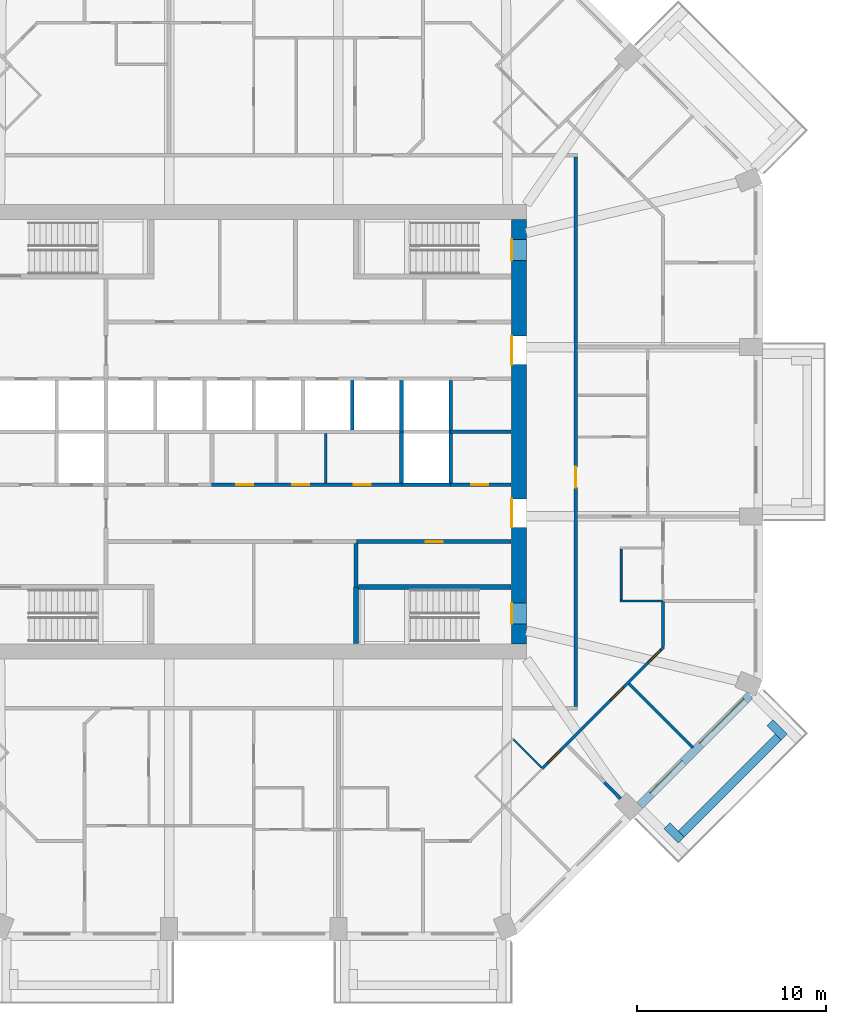
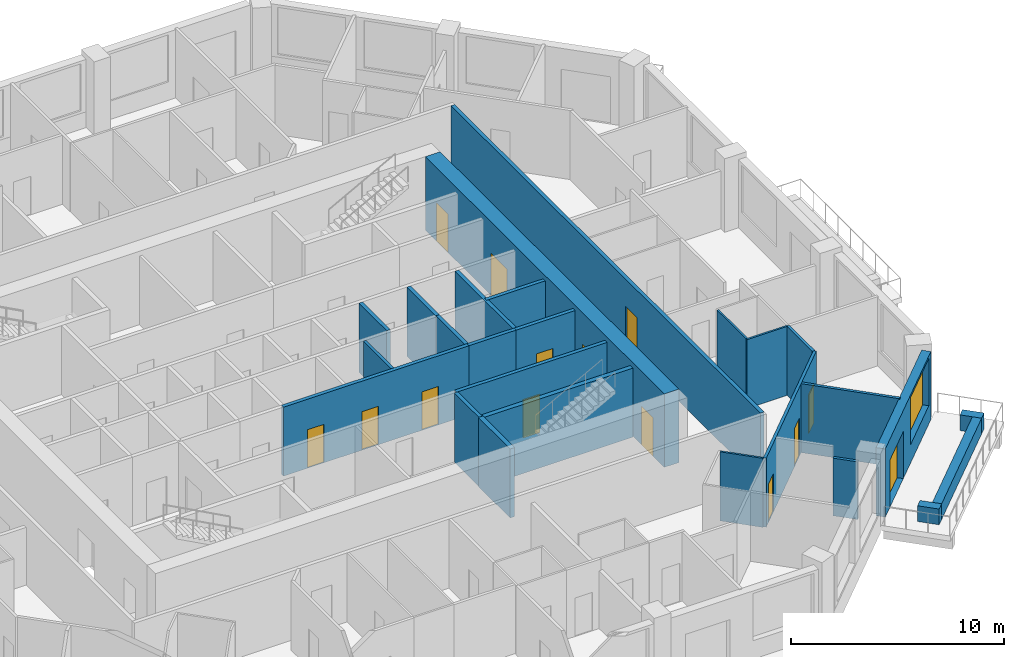
# One storey, part 6 of 13: 26 walls, 14 doors, 1 window, 15 openings.
"""IFC4 building model written with IfcOpenShell, lengths in metres."""

from ifc_helpers import new_model, si_unit, direction, frame, frame_2d, origin, place, context, subcontext, project, spatial, rectangle, extrude, material, layer, layer_set, type_object, element, fill, save


model = new_model("IFC4")

# Units and contexts
model_context = context("Model", 3, precision=1e-05, world=origin(), true_north=direction((0.0, 1.0)))
body_context = subcontext(model_context, "Body", "Model", "MODEL_VIEW")
ifc_project = project(units=[si_unit("LENGTHUNIT", "METRE"), si_unit("AREAUNIT", "SQUARE_METRE"), si_unit("VOLUMEUNIT", "CUBIC_METRE"), si_unit("PLANEANGLEUNIT", "RADIAN"), si_unit("MASSUNIT", "GRAM", prefix="KILO")], contexts=[model_context])

# Site, building, storey
site_placement = place(None, origin())
site = spatial("IfcSite", under=ifc_project, at=site_placement, CompositionType="ELEMENT")
building_placement = place(site_placement, origin())
building = spatial("IfcBuilding", under=site, at=building_placement, Name="Msitu Wima Residences", CompositionType="ELEMENT")
storey_placement = place(building_placement, frame((0.0, 0.0, 114.89990234375)))
storey = spatial("IfcBuildingStorey", under=building, at=storey_placement, Name="L26", CompositionType="ELEMENT", Elevation=114.89990234375)

# Walls
ifc_material_1 = material(Name="Facing brick")
ifc_layer_1 = layer(ifc_material_1, 0.06494140625, Name="Facing brick")
ifc_material_2 = material(Name="Concrete C40/50", Category="concrete")
ifc_layer_2 = layer(ifc_material_2, 0.156005859375, Name="Concrete C40/50")
ifc_material_3 = material(Name="Waterproofing membrane")
ifc_layer_3 = layer(ifc_material_3, 0.00390625, Name="Waterproofing membrane")
ifc_material_4 = material(Name="Planting soil and planting")
ifc_layer_4 = layer(ifc_material_4, 0.22509765625, Name="Planting soil and planting")
ifc_layer_set_1 = layer_set([ifc_layer_1, ifc_layer_2, ifc_layer_3, ifc_layer_4], Name="Concrete C40/50")
wall_type_1 = type_object("IfcWallType", Name="Balcony planter PLANTER PL450", PredefinedType="USERDEFINED", material=ifc_layer_set_1)
wall_1_placement = place(storey_placement, frame((22.572265625, -21.228759765625, 0.0), z_axis=(0.0, 0.0, 1.0), x_axis=(0.707106781187, 0.707106781187, 0.0)))
element("IfcWall", 1, at=wall_1_placement, inside=storey, type_object=wall_type_1, Name="Balcony planter SE1 L26", ObjectType="PLANTER", PredefinedType="USERDEFINED", context=body_context, shape_type="SweptSolid", body=[
    extrude(rectangle(XDim=7.23828125, YDim=0.449951171875, at=frame_2d((3.619140625, 0.0))), origin(), (0.0, 0.0, 1.0), 0.900146484375),
])
for number, where, z_axis, x_axis, name in (
    (2, (21.829833984375, -20.804443359375, 0.0), (0.0, 0.0, 1.0), (0.707106781187, -0.707106781187, 0.0), "Balcony planter SE1 L26"),
    (3, (27.26611328125, -15.3681640625, 0.0), (0.0, 0.0, 1.0), (0.707223014731, -0.706990528533, 0.0), "Balcony planter SE1 L26"),
):
    element("IfcWall", number, at=place(storey_placement, frame(where, z_axis=z_axis, x_axis=x_axis)), inside=storey, type_object=wall_type_1, Name=name, ObjectType="PLANTER", PredefinedType="USERDEFINED", context=body_context, shape_type="SweptSolid", body=[
        extrude(rectangle(XDim=1.050048828125, YDim=0.449951171875, at=frame_2d((0.52490234375, 0.0))), origin(), (0.0, 0.0, 1.0), 0.900146484375),
    ])

# Wall, openings, door, window
ifc_material_5 = material(Name="Brick (red buff mix)", Category="masonry")
ifc_layer_5 = layer(ifc_material_5, 0.449951171875)
ifc_layer_set_2 = layer_set([ifc_layer_5], Name="Brick (red buff mix)")
wall_type_2 = type_object("IfcWallType", Name="Brick infill wall BW450", PredefinedType="SOLIDWALL", material=ifc_layer_set_2)
wall_2_placement = place(storey_placement, frame((20.380126953125, -19.743896484375, 0.0), z_axis=(0.0, 0.0, 1.0), x_axis=(0.707106781187, 0.707106781187, 0.0)))
wall_2 = element("IfcWall", 4, at=wall_2_placement, inside=storey, type_object=wall_type_2, Name="Brick infill wall L26 SE1", PredefinedType="SOLIDWALL", context=body_context, shape_type="SweptSolid", body=[
    extrude(rectangle(XDim=8.251220703125, YDim=0.449951171875, at=frame_2d((4.12548828125, 0.0))), origin(), (0.0, 0.0, 1.0), 3.900146484375),
])
opening_1_placement = place(wall_2_placement, frame((0.86279296875, 0.0, 0.0)))
opening_1 = element("IfcOpeningElement", 5, at=opening_1_placement, cuts=wall_2, Name="Opening D25-26.008", PredefinedType="OPENING", context=body_context, shape_type="SweptSolid", body=[
    extrude(rectangle(XDim=2.39990234375, YDim=2.699951171875, at=frame_2d((1.199951171875, 1.35009765625))), frame((0.0, 0.23486328125, 0.0), z_axis=(0.0, -1.0, 0.0), x_axis=(1.0, 0.0, 0.0)), (0.0, 0.0, 1.0), 0.469970703125),
])
opening_2_placement = place(wall_2_placement, frame((4.57568359375, 0.0, 1.050048828125)))
opening_2 = element("IfcOpeningElement", 6, at=opening_2_placement, cuts=wall_2, Name="Opening W25-26.022", PredefinedType="OPENING", context=body_context, shape_type="SweptSolid", body=[
    extrude(rectangle(XDim=3.300048828125, YDim=2.699951171875, at=frame_2d((1.64990234375, 1.35009765625))), frame((0.0, 0.23486328125, 0.0), z_axis=(0.0, -1.0, 0.0), x_axis=(1.0, 0.0, 0.0)), (0.0, 0.0, 1.0), 0.469970703125),
])
ifc_material_6 = material(Name="Anodised aluminium, bronze finish, clear low-emissivity double glazing", Category="aluminium")
door_type_1 = type_object("IfcDoorType", Name="Balcony door D2400x2700", OperationType="SLIDING_TO_LEFT", PredefinedType="DOOR", material=ifc_material_6)
door_1_placement = place(opening_1_placement, origin())
door_1 = element("IfcDoor", 7, at=door_1_placement, inside=storey, type_object=door_type_1, Name="Balcony door L26 SE1", OperationType="SINGLE_SWING_LEFT", OverallHeight=2.699951171875, OverallWidth=2.39990234375, PredefinedType="DOOR", context=body_context, shape_type="SweptSolid", body=[
    extrude(rectangle(XDim=2.39990234375, YDim=2.699951171875, at=frame_2d((1.199951171875, 1.35009765625))), frame((0.0, 0.1298828125, 0.0), z_axis=(0.0, -1.0, 0.0), x_axis=(1.0, 0.0, 0.0)), (0.0, 0.0, 1.0), 0.050048828125),
])
fill(opening_1, door_1)
window_type = type_object("IfcWindowType", Name="Window W3300x2700", PartitioningType="DOUBLE_PANEL_VERTICAL", PredefinedType="WINDOW", material=ifc_material_6)
window_placement = place(opening_2_placement, origin())
window = element("IfcWindow", 8, at=window_placement, inside=storey, type_object=window_type, Name="Window L26 SE1.2", OverallHeight=2.699951171875, OverallWidth=3.300048828125, PartitioningType="SINGLE_PANEL", PredefinedType="WINDOW", context=body_context, shape_type="SweptSolid", body=[
    extrude(rectangle(XDim=3.300048828125, YDim=2.699951171875, at=frame_2d((1.64990234375, 1.35009765625))), frame((0.0, 0.135009765625, 0.0), z_axis=(0.0, -1.0, 0.0), x_axis=(1.0, 0.0, 0.0)), (0.0, 0.0, 1.0), 0.06005859375),
])
fill(opening_2, window)

# Wall, openings, doors
ifc_material_7 = material(Name="Concrete C70/85", Category="concrete")
ifc_layer_6 = layer(ifc_material_7, 0.800048828125)
ifc_layer_set_3 = layer_set([ifc_layer_6], Name="Concrete C70/85")
wall_type_3 = type_object("IfcWallType", Name="Core wall CW800 C70/85", PredefinedType="SHEAR", material=ifc_layer_set_3)
wall_3_placement = place(storey_placement, frame((14.0, -11.199951171875, 0.0), z_axis=(0.0, 0.0, 1.0), x_axis=(0.0, 1.0, 0.0)))
wall_3 = element("IfcWall", 9, at=wall_3_placement, inside=storey, type_object=wall_type_3, Name="Core wall", PredefinedType="SHEAR", context=body_context, shape_type="SweptSolid", body=[
    extrude(rectangle(XDim=22.39990234375, YDim=0.800048828125, at=frame_2d((11.199951171875, 0.0))), origin(), (0.0, 0.0, 1.0), 4.2001953125),
])
opening_3_placement = place(wall_3_placement, frame((20.25, 0.0, 0.0)))
opening_3 = element("IfcOpeningElement", 10, at=opening_3_placement, cuts=wall_3, Name="Opening D25-26.040", PredefinedType="OPENING", context=body_context, shape_type="SweptSolid", body=[
    extrude(rectangle(XDim=1.10009765625, YDim=2.199951171875, at=frame_2d((0.550048828125, 1.10009765625))), frame((0.0, 0.409912109375, 0.0), z_axis=(0.0, -1.0, 0.0), x_axis=(1.0, 0.0, 0.0)), (0.0, 0.0, 1.0), 0.820068359375),
])
opening_4_placement = place(wall_3_placement, frame((1.050048828125, 0.0, 0.0)))
opening_4 = element("IfcOpeningElement", 11, at=opening_4_placement, cuts=wall_3, Name="Opening D25-26.041", PredefinedType="OPENING", context=body_context, shape_type="SweptSolid", body=[
    extrude(rectangle(XDim=1.10009765625, YDim=2.199951171875, at=frame_2d((0.550048828125, 1.10009765625))), frame((0.0, 0.409912109375, 0.0), z_axis=(0.0, -1.0, 0.0), x_axis=(1.0, 0.0, 0.0)), (0.0, 0.0, 1.0), 0.820068359375),
])
opening_5_placement = place(wall_3_placement, frame((14.75, 0.0, 0.0)))
opening_5 = element("IfcOpeningElement", 12, at=opening_5_placement, cuts=wall_3, Name="Opening D25-26.027", PredefinedType="OPENING", context=body_context, shape_type="SweptSolid", body=[
    extrude(rectangle(XDim=1.5, YDim=2.39990234375, at=frame_2d((0.75, 1.199951171875))), frame((0.0, 0.409912109375, 0.0), z_axis=(0.0, -1.0, 0.0), x_axis=(1.0, 0.0, 0.0)), (0.0, 0.0, 1.0), 0.820068359375),
])
opening_6_placement = place(wall_3_placement, frame((6.14990234375, 0.0, 0.0)))
opening_6 = element("IfcOpeningElement", 13, at=opening_6_placement, cuts=wall_3, Name="Opening D25-26.028", PredefinedType="OPENING", context=body_context, shape_type="SweptSolid", body=[
    extrude(rectangle(XDim=1.5, YDim=2.39990234375, at=frame_2d((0.75, 1.199951171875))), frame((0.0, 0.409912109375, 0.0), z_axis=(0.0, -1.0, 0.0), x_axis=(1.0, 0.0, 0.0)), (0.0, 0.0, 1.0), 0.820068359375),
])
ifc_material_8 = material(Name="Steel framed glazed door, fire resisting", Category="steel")
door_type_2 = type_object("IfcDoorType", Name="Lobby door D07 1500x2400", OperationType="DOUBLE_DOOR_SINGLE_SWING", PredefinedType="DOOR", material=ifc_material_8)
door_2_placement = place(opening_5_placement, origin())
door_2 = element("IfcDoor", 14, at=door_2_placement, inside=storey, type_object=door_type_2, Name="Lobby door", OperationType="DOUBLE_DOOR_SINGLE_SWING", OverallHeight=2.39990234375, OverallWidth=1.5, PredefinedType="DOOR", context=body_context, shape_type="SweptSolid", body=[
    extrude(rectangle(XDim=1.5, YDim=2.39990234375, at=frame_2d((0.75, 1.199951171875))), frame((0.0, 0.39501953125, 0.0), z_axis=(0.0, -1.0, 0.0), x_axis=(1.0, 0.0, 0.0)), (0.0, 0.0, 1.0), 0.050048828125),
])
fill(opening_5, door_2)
door_3_placement = place(opening_6_placement, origin())
door_3 = element("IfcDoor", 15, at=door_3_placement, inside=storey, type_object=door_type_2, Name="Lobby door", OperationType="DOUBLE_DOOR_SINGLE_SWING", OverallHeight=2.39990234375, OverallWidth=1.5, PredefinedType="DOOR", context=body_context, shape_type="SweptSolid", body=[
    extrude(rectangle(XDim=1.5, YDim=2.39990234375, at=frame_2d((0.75, 1.199951171875))), frame((0.0, 0.39501953125, 0.0), z_axis=(0.0, -1.0, 0.0), x_axis=(1.0, 0.0, 0.0)), (0.0, 0.0, 1.0), 0.050048828125),
])
fill(opening_6, door_3)
ifc_material_9 = material(Name="Steel door, fire resisting, panic bar", Category="steel")
door_type_3 = type_object("IfcDoorType", Name="Stair door D06 1100x2200", OperationType="SINGLE_SWING_LEFT", PredefinedType="DOOR", material=ifc_material_9)
door_4_placement = place(opening_3_placement, origin())
door_4 = element("IfcDoor", 16, at=door_4_placement, inside=storey, type_object=door_type_3, Name="Stair door", OperationType="SINGLE_SWING_LEFT", OverallHeight=2.199951171875, OverallWidth=1.10009765625, PredefinedType="DOOR", context=body_context, shape_type="SweptSolid", body=[
    extrude(rectangle(XDim=1.10009765625, YDim=2.199951171875, at=frame_2d((0.550048828125, 1.10009765625))), frame((0.0, 0.39501953125, 0.0), z_axis=(0.0, -1.0, 0.0), x_axis=(1.0, 0.0, 0.0)), (0.0, 0.0, 1.0), 0.050048828125),
])
fill(opening_3, door_4)
door_5_placement = place(opening_4_placement, origin())
door_5 = element("IfcDoor", 17, at=door_5_placement, inside=storey, type_object=door_type_3, Name="Stair door", OperationType="SINGLE_SWING_RIGHT", OverallHeight=2.199951171875, OverallWidth=1.10009765625, PredefinedType="DOOR", context=body_context, shape_type="SweptSolid", body=[
    extrude(rectangle(XDim=1.10009765625, YDim=2.199951171875, at=frame_2d((0.550048828125, 1.10009765625))), frame((0.0, 0.39501953125, 0.0), z_axis=(0.0, -1.0, 0.0), x_axis=(1.0, 0.0, 0.0)), (0.0, 0.0, 1.0), 0.050048828125),
])
fill(opening_4, door_5)

ifc_material_10 = material(Name="Plaster")
ifc_layer_7 = layer(ifc_material_10, 0.011962890625, Name="Plaster")
ifc_material_11 = material(Name="Concrete blockwork", Category="masonry")
ifc_layer_8 = layer(ifc_material_11, 0.176025390625, Name="Concrete blockwork")
ifc_layer_9 = layer(ifc_material_10, 0.011962890625, Name="Plaster")
ifc_layer_set_4 = layer_set([ifc_layer_7, ifc_layer_8, ifc_layer_9], Name="Concrete blockwork")
wall_type_4 = type_object("IfcWallType", Name="Corridor wall FW200", PredefinedType="PARTITIONING", material=ifc_layer_set_4)
wall_4_placement = place(storey_placement, frame((-2.219970703125, -2.800048828125, 0.0), z_axis=(0.0, 0.0, 1.0), x_axis=(1.0, 0.0, 0.0)))
wall_4 = element("IfcWall", 18, at=wall_4_placement, inside=storey, type_object=wall_type_4, Name="Corridor wall", PredefinedType="PARTITIONING", context=body_context, shape_type="SweptSolid", body=[
    extrude(rectangle(XDim=10.0400390625, YDim=0.199951171875, at=frame_2d((5.02001953125, 0.0))), origin(), (0.0, 0.0, 1.0), 3.9501953125),
])
opening_7_placement = place(wall_4_placement, frame((1.300048828125, 0.0, 0.0)))
opening_7 = element("IfcOpeningElement", 19, at=opening_7_placement, cuts=wall_4, Name="Opening D25-26.033", PredefinedType="OPENING", context=body_context, shape_type="SweptSolid", body=[
    extrude(rectangle(XDim=0.89990234375, YDim=2.199951171875, at=frame_2d((0.449951171875, 1.10009765625))), frame((0.0, 0.10986328125, 0.0), z_axis=(0.0, -1.0, 0.0), x_axis=(1.0, 0.0, 0.0)), (0.0, 0.0, 1.0), 0.219970703125),
])
opening_8_placement = place(wall_4_placement, frame((4.25, 0.0, 0.0)))
opening_8 = element("IfcOpeningElement", 20, at=opening_8_placement, cuts=wall_4, Name="Opening D25-26.034", PredefinedType="OPENING", context=body_context, shape_type="SweptSolid", body=[
    extrude(rectangle(XDim=0.89990234375, YDim=2.199951171875, at=frame_2d((0.449951171875, 1.10009765625))), frame((0.0, 0.10986328125, 0.0), z_axis=(0.0, -1.0, 0.0), x_axis=(1.0, 0.0, 0.0)), (0.0, 0.0, 1.0), 0.219970703125),
])
opening_9_placement = place(wall_4_placement, frame((7.5, 0.0, 0.0)))
opening_9 = element("IfcOpeningElement", 21, at=opening_9_placement, cuts=wall_4, Name="Opening D25-26.035", PredefinedType="OPENING", context=body_context, shape_type="SweptSolid", body=[
    extrude(rectangle(XDim=0.89990234375, YDim=2.199951171875, at=frame_2d((0.449951171875, 1.10009765625))), frame((0.0, 0.10986328125, 0.0), z_axis=(0.0, -1.0, 0.0), x_axis=(1.0, 0.0, 0.0)), (0.0, 0.0, 1.0), 0.219970703125),
])
ifc_material_12 = material(Name="Timber flush door", Category="wood")
door_type_4 = type_object("IfcDoorType", Name="Service door D05 900x2200", OperationType="SINGLE_SWING_LEFT", PredefinedType="DOOR", material=ifc_material_12)
door_6_placement = place(opening_7_placement, origin())
door_6 = element("IfcDoor", 22, at=door_6_placement, inside=storey, type_object=door_type_4, Name="Service door", OperationType="SINGLE_SWING_RIGHT", OverallHeight=2.199951171875, OverallWidth=0.89990234375, PredefinedType="DOOR", context=body_context, shape_type="SweptSolid", body=[
    extrude(rectangle(XDim=0.89990234375, YDim=2.199951171875, at=frame_2d((0.449951171875, 1.10009765625))), frame((0.0, 0.02490234375, 0.0), z_axis=(0.0, -1.0, 0.0), x_axis=(1.0, 0.0, 0.0)), (0.0, 0.0, 1.0), 0.050048828125),
])
fill(opening_7, door_6)
door_7_placement = place(opening_8_placement, origin())
door_7 = element("IfcDoor", 23, at=door_7_placement, inside=storey, type_object=door_type_4, Name="Service door", OperationType="SINGLE_SWING_LEFT", OverallHeight=2.199951171875, OverallWidth=0.89990234375, PredefinedType="DOOR", context=body_context, shape_type="SweptSolid", body=[
    extrude(rectangle(XDim=0.89990234375, YDim=2.199951171875, at=frame_2d((0.449951171875, 1.10009765625))), frame((0.0, 0.02490234375, 0.0), z_axis=(0.0, -1.0, 0.0), x_axis=(1.0, 0.0, 0.0)), (0.0, 0.0, 1.0), 0.050048828125),
])
fill(opening_8, door_7)
door_8_placement = place(opening_9_placement, origin())
door_8 = element("IfcDoor", 24, at=door_8_placement, inside=storey, type_object=door_type_4, Name="Service door", OperationType="SINGLE_SWING_LEFT", OverallHeight=2.199951171875, OverallWidth=0.89990234375, PredefinedType="DOOR", context=body_context, shape_type="SweptSolid", body=[
    extrude(rectangle(XDim=0.89990234375, YDim=2.199951171875, at=frame_2d((0.449951171875, 1.10009765625))), frame((0.0, 0.02490234375, 0.0), z_axis=(0.0, -1.0, 0.0), x_axis=(1.0, 0.0, 0.0)), (0.0, 0.0, 1.0), 0.050048828125),
])
fill(opening_9, door_8)

# Wall, opening, door
wall_5_placement = place(storey_placement, frame((17.0, -14.5, 0.0), z_axis=(0.0, 0.0, 1.0), x_axis=(0.0, 1.0, 0.0)))
wall_5 = element("IfcWall", 25, at=wall_5_placement, inside=storey, type_object=wall_type_4, Name="Corridor wall", PredefinedType="PARTITIONING", context=body_context, shape_type="SweptSolid", body=[
    extrude(rectangle(XDim=29.0, YDim=0.199951171875, at=frame_2d((14.5, 0.0))), origin(), (0.0, 0.0, 1.0), 3.9501953125),
])
opening_10_placement = place(wall_5_placement, frame((11.550048828125, 0.0, 0.0)))
opening_10 = element("IfcOpeningElement", 26, at=opening_10_placement, cuts=wall_5, Name="Opening D25-26.014", PredefinedType="OPENING", context=body_context, shape_type="SweptSolid", body=[
    extrude(rectangle(XDim=1.10009765625, YDim=2.39990234375, at=frame_2d((0.550048828125, 1.199951171875))), frame((0.0, 0.10986328125, 0.0), z_axis=(0.0, -1.0, 0.0), x_axis=(1.0, 0.0, 0.0)), (0.0, 0.0, 1.0), 0.219970703125),
])
ifc_material_13 = material(Name="Timber flush door, fire resisting, self-closing", Category="wood")
door_type_5 = type_object("IfcDoorType", Name="Flat entrance door D01 1100x2400", OperationType="SINGLE_SWING_LEFT", PredefinedType="DOOR", material=ifc_material_13)
door_9_placement = place(opening_10_placement, origin())
door_9 = element("IfcDoor", 27, at=door_9_placement, inside=storey, type_object=door_type_5, Name="Flat entrance door", OperationType="SINGLE_SWING_RIGHT", OverallHeight=2.39990234375, OverallWidth=1.10009765625, PredefinedType="DOOR", context=body_context, shape_type="SweptSolid", body=[
    extrude(rectangle(XDim=1.10009765625, YDim=2.39990234375, at=frame_2d((0.550048828125, 1.199951171875))), frame((0.0, 0.02490234375, 0.0), z_axis=(0.0, -1.0, 0.0), x_axis=(1.0, 0.0, 0.0)), (0.0, 0.0, 1.0), 0.050048828125),
])
fill(opening_10, door_9)

# Wall
ifc_layer_10 = layer(ifc_material_10, 0.011962890625, Name="Plaster")
ifc_layer_11 = layer(ifc_material_11, 0.1259765625, Name="Concrete blockwork")
ifc_layer_12 = layer(ifc_material_10, 0.011962890625, Name="Plaster")
ifc_layer_set_5 = layer_set([ifc_layer_10, ifc_layer_11, ifc_layer_12], Name="Concrete blockwork")
wall_type_5 = type_object("IfcWallType", Name="Partition PW150", PredefinedType="PARTITIONING", material=ifc_layer_set_5)
wall_6_placement = place(storey_placement, frame((3.800048828125, -2.699951171875, 0.0), z_axis=(0.0, 0.0, 1.0), x_axis=(0.0, 1.0, 0.0)))
element("IfcWall", 28, at=wall_6_placement, inside=storey, type_object=wall_type_5, Name="Partition", PredefinedType="PARTITIONING", context=body_context, shape_type="SweptSolid", body=[
    extrude(rectangle(XDim=2.599853515625, YDim=0.14990234375, at=frame_2d((1.2998046875, 0.0))), origin(), (0.0, 0.0, 1.0), 3.9501953125),
])

# Wall, openings, doors
wall_7_placement = place(storey_placement, frame((15.240234375, -17.77734375, 0.0), z_axis=(0.0, 0.0, 1.0), x_axis=(0.707120241298, 0.707093320819, 0.0)))
wall_7 = element("IfcWall", 29, at=wall_7_placement, inside=storey, type_object=wall_type_5, Name="Partition", PredefinedType="PARTITIONING", context=body_context, shape_type="SweptSolid", body=[
    extrude(rectangle(XDim=9.06884765625, YDim=0.14990234375, at=frame_2d((4.534423828125, 0.0))), origin(), (0.0, 0.0, 1.0), 3.9501953125),
])
opening_11_placement = place(wall_7_placement, frame((5.10009765625, 0.0, 0.0)))
opening_11 = element("IfcOpeningElement", 30, at=opening_11_placement, cuts=wall_7, Name="Opening D25-26.079", PredefinedType="OPENING", context=body_context, shape_type="SweptSolid", body=[
    extrude(rectangle(XDim=0.949951171875, YDim=2.199951171875, at=frame_2d((0.47509765625, 1.10009765625))), frame((0.0, 0.0849609375, 0.0), z_axis=(0.0, -1.0, 0.0), x_axis=(1.0, 0.0, 0.0)), (0.0, 0.0, 1.0), 0.169921875),
])
opening_12_placement = place(wall_7_placement, frame((0.39990234375, 0.0, 0.0)))
opening_12 = element("IfcOpeningElement", 31, at=opening_12_placement, cuts=wall_7, Name="Opening D25-26.081", PredefinedType="OPENING", context=body_context, shape_type="SweptSolid", body=[
    extrude(rectangle(XDim=0.949951171875, YDim=2.199951171875, at=frame_2d((0.47509765625, 1.10009765625))), frame((0.0, 0.0849609375, 0.0), z_axis=(0.0, -1.0, 0.0), x_axis=(1.0, 0.0, 0.0)), (0.0, 0.0, 1.0), 0.169921875),
])
opening_13_placement = place(wall_7_placement, frame((7.89990234375, 0.0, 0.0)))
opening_13 = element("IfcOpeningElement", 32, at=opening_13_placement, cuts=wall_7, Name="Opening D25-26.088", PredefinedType="OPENING", context=body_context, shape_type="SweptSolid", body=[
    extrude(rectangle(XDim=0.949951171875, YDim=2.199951171875, at=frame_2d((0.47509765625, 1.10009765625))), frame((0.0, 0.0849609375, 0.0), z_axis=(0.0, -1.0, 0.0), x_axis=(1.0, 0.0, 0.0)), (0.0, 0.0, 1.0), 0.169921875),
])
door_type_6 = type_object("IfcDoorType", Name="Room door D12 950x2200", OperationType="SINGLE_SWING_LEFT", PredefinedType="DOOR", material=ifc_material_12)
door_10_placement = place(opening_11_placement, origin())
door_10 = element("IfcDoor", 33, at=door_10_placement, inside=storey, type_object=door_type_6, Name="Room door", OperationType="SINGLE_SWING_LEFT", OverallHeight=2.199951171875, OverallWidth=0.949951171875, PredefinedType="DOOR", context=body_context, shape_type="SweptSolid", body=[
    extrude(rectangle(XDim=0.949951171875, YDim=2.199951171875, at=frame_2d((0.47509765625, 1.10009765625))), frame((0.0, 0.02490234375, 0.0), z_axis=(0.0, -1.0, 0.0), x_axis=(1.0, 0.0, 0.0)), (0.0, 0.0, 1.0), 0.050048828125),
])
fill(opening_11, door_10)
door_11_placement = place(opening_12_placement, origin())
door_11 = element("IfcDoor", 34, at=door_11_placement, inside=storey, type_object=door_type_6, Name="Room door", OperationType="SINGLE_SWING_LEFT", OverallHeight=2.199951171875, OverallWidth=0.949951171875, PredefinedType="DOOR", context=body_context, shape_type="SweptSolid", body=[
    extrude(rectangle(XDim=0.949951171875, YDim=2.199951171875, at=frame_2d((0.47509765625, 1.10009765625))), frame((0.0, 0.02490234375, 0.0), z_axis=(0.0, -1.0, 0.0), x_axis=(1.0, 0.0, 0.0)), (0.0, 0.0, 1.0), 0.050048828125),
])
fill(opening_12, door_11)
door_12_placement = place(opening_13_placement, origin())
door_12 = element("IfcDoor", 35, at=door_12_placement, inside=storey, type_object=door_type_6, Name="Room door", OperationType="SINGLE_SWING_RIGHT", OverallHeight=2.199951171875, OverallWidth=0.949951171875, PredefinedType="DOOR", context=body_context, shape_type="SweptSolid", body=[
    extrude(rectangle(XDim=0.949951171875, YDim=2.199951171875, at=frame_2d((0.47509765625, 1.10009765625))), frame((0.0, 0.02490234375, 0.0), z_axis=(0.0, -1.0, 0.0), x_axis=(1.0, 0.0, 0.0)), (0.0, 0.0, 1.0), 0.050048828125),
])
fill(opening_13, door_12)

# Walls
wall_8_placement = place(storey_placement, frame((18.517578125, -18.517578125, 0.0), z_axis=(0.0, 0.0, 1.0), x_axis=(0.707106781187, -0.707106781187, 0.0)))
element("IfcWall", 36, at=wall_8_placement, inside=storey, type_object=wall_type_5, Name="Partition", PredefinedType="PARTITIONING", context=body_context, shape_type="SweptSolid", body=[
    extrude(rectangle(XDim=1.209228515625, YDim=0.14990234375, at=frame_2d((0.6044921875, 0.0))), origin(), (0.0, 0.0, 1.0), 3.300048828125),
])
wall_9_placement = place(storey_placement, frame((19.810302734375, -13.313232421875, 0.0), z_axis=(0.0, 0.0, 1.0), x_axis=(0.707106781187, -0.707106781187, 0.0)))
element("IfcWall", 37, at=wall_9_placement, inside=storey, type_object=wall_type_5, Name="Partition", PredefinedType="PARTITIONING", context=body_context, shape_type="SweptSolid", body=[
    extrude(rectangle(XDim=4.7802734375, YDim=0.14990234375, at=frame_2d((2.39013671875, 0.0))), origin(), (0.0, 0.0, 1.0), 3.9501953125),
])
wall_10_placement = place(storey_placement, frame((21.60009765625, -11.3427734375, 0.0), z_axis=(0.0, 0.0, 1.0), x_axis=(0.0, 1.0, 0.0)))
element("IfcWall", 38, at=wall_10_placement, inside=storey, type_object=wall_type_5, Name="Partition", PredefinedType="PARTITIONING", context=body_context, shape_type="SweptSolid", body=[
    extrude(rectangle(XDim=2.385498046875, YDim=0.14990234375, at=frame_2d((1.19287109375, 0.0))), origin(), (0.0, 0.0, 1.0), 3.9501953125),
])

# Wall, opening, door
ifc_layer_13 = layer(ifc_material_10, 0.011962890625, Name="Plaster")
ifc_material_14 = material(Name="Reinforced concrete blockwork", Category="masonry")
ifc_layer_14 = layer(ifc_material_14, 0.176025390625, Name="Reinforced concrete blockwork")
ifc_layer_15 = layer(ifc_material_10, 0.011962890625, Name="Plaster")
ifc_layer_set_6 = layer_set([ifc_layer_13, ifc_layer_14, ifc_layer_15], Name="Reinforced concrete blockwork")
wall_type_6 = type_object("IfcWallType", Name="Plant and riser wall PL200", PredefinedType="PARTITIONING", material=ifc_layer_set_6)
wall_11_placement = place(storey_placement, frame((5.419921875, -5.800048828125, 0.0), z_axis=(0.0, 0.0, 1.0), x_axis=(1.0, 0.0, 0.0)))
wall_11 = element("IfcWall", 39, at=wall_11_placement, inside=storey, type_object=wall_type_6, Name="Plant and riser wall", PredefinedType="PARTITIONING", context=body_context, shape_type="SweptSolid", body=[
    extrude(rectangle(XDim=8.150146484375, YDim=0.199951171875, at=frame_2d((4.0751953125, 0.0))), origin(), (0.0, 0.0, 1.0), 3.9501953125),
])
opening_14_placement = place(wall_11_placement, frame((3.64990234375, 0.0, 0.0)))
opening_14 = element("IfcOpeningElement", 40, at=opening_14_placement, cuts=wall_11, Name="Opening D25-26.026", PredefinedType="OPENING", context=body_context, shape_type="SweptSolid", body=[
    extrude(rectangle(XDim=0.89990234375, YDim=2.199951171875, at=frame_2d((0.449951171875, 1.10009765625))), frame((0.0, 0.10986328125, 0.0), z_axis=(0.0, -1.0, 0.0), x_axis=(1.0, 0.0, 0.0)), (0.0, 0.0, 1.0), 0.219970703125),
])
door_13_placement = place(opening_14_placement, origin())
door_13 = element("IfcDoor", 41, at=door_13_placement, inside=storey, type_object=door_type_4, Name="Service door", OperationType="SINGLE_SWING_LEFT", OverallHeight=2.199951171875, OverallWidth=0.89990234375, PredefinedType="DOOR", context=body_context, shape_type="SweptSolid", body=[
    extrude(rectangle(XDim=0.89990234375, YDim=2.199951171875, at=frame_2d((0.449951171875, 1.10009765625))), frame((0.0, 0.02490234375, 0.0), z_axis=(0.0, -1.0, 0.0), x_axis=(1.0, 0.0, 0.0)), (0.0, 0.0, 1.0), 0.050048828125),
])
fill(opening_14, door_13)

# Wall
wall_12_placement = place(storey_placement, frame((5.39990234375, -8.199951171875, 0.0), z_axis=(0.0, 0.0, 1.0), x_axis=(0.0, 1.0, 0.0)))
element("IfcWall", 42, at=wall_12_placement, inside=storey, type_object=wall_type_6, Name="Plant and riser wall", PredefinedType="PARTITIONING", context=body_context, shape_type="SweptSolid", body=[
    extrude(rectangle(XDim=2.300048828125, YDim=0.199951171875, at=frame_2d((1.14990234375, 0.0))), origin(), (0.0, 0.0, 1.0), 3.9501953125),
])

# Wall, opening, door
wall_13_placement = place(storey_placement, frame((10.3798828125, -2.800048828125, 0.0), z_axis=(0.0, 0.0, 1.0), x_axis=(1.0, 0.0, 0.0)))
wall_13 = element("IfcWall", 43, at=wall_13_placement, inside=storey, type_object=wall_type_6, Name="Plant and riser wall", PredefinedType="PARTITIONING", context=body_context, shape_type="SweptSolid", body=[
    extrude(rectangle(XDim=3.190185546875, YDim=0.199951171875, at=frame_2d((1.59521484375, 0.0))), origin(), (0.0, 0.0, 1.0), 3.9501953125),
])
opening_15_placement = place(wall_13_placement, frame((1.10009765625, 0.0, 0.0)))
opening_15 = element("IfcOpeningElement", 44, at=opening_15_placement, cuts=wall_13, Name="Opening D25-26.015", PredefinedType="OPENING", context=body_context, shape_type="SweptSolid", body=[
    extrude(rectangle(XDim=0.89990234375, YDim=2.199951171875, at=frame_2d((0.449951171875, 1.10009765625))), frame((0.0, 0.10986328125, 0.0), z_axis=(0.0, -1.0, 0.0), x_axis=(1.0, 0.0, 0.0)), (0.0, 0.0, 1.0), 0.219970703125),
])
door_14_placement = place(opening_15_placement, origin())
door_14 = element("IfcDoor", 45, at=door_14_placement, inside=storey, type_object=door_type_4, Name="Service door", OperationType="SINGLE_SWING_LEFT", OverallHeight=2.199951171875, OverallWidth=0.89990234375, PredefinedType="DOOR", context=body_context, shape_type="SweptSolid", body=[
    extrude(rectangle(XDim=0.89990234375, YDim=2.199951171875, at=frame_2d((0.449951171875, 1.10009765625))), frame((0.0, 0.02490234375, 0.0), z_axis=(0.0, -1.0, 0.0), x_axis=(1.0, 0.0, 0.0)), (0.0, 0.0, 1.0), 0.050048828125),
])
fill(opening_15, door_14)

# Walls
wall_14_placement = place(storey_placement, frame((10.39990234375, 0.0, 0.0), z_axis=(0.0, 0.0, 1.0), x_axis=(1.0, 0.0, 0.0)))
element("IfcWall", 46, at=wall_14_placement, inside=storey, type_object=wall_type_6, Name="Plant and riser wall", PredefinedType="PARTITIONING", context=body_context, shape_type="SweptSolid", body=[
    extrude(rectangle(XDim=3.170166015625, YDim=0.199951171875, at=frame_2d((1.5849609375, 0.0))), origin(), (0.0, 0.0, 1.0), 3.9501953125),
])
ifc_material_15 = material(Name="Fire-rated board")
ifc_layer_16 = layer(ifc_material_15, 0.02490234375, Name="Fire-rated board")
ifc_material_16 = material(Name="Light-gauge stud framing with mineral wool")
ifc_layer_17 = layer(ifc_material_16, 0.14990234375, Name="Light-gauge stud framing with mineral wool")
ifc_layer_18 = layer(ifc_material_15, 0.02490234375, Name="Fire-rated board")
ifc_layer_set_7 = layer_set([ifc_layer_16, ifc_layer_17, ifc_layer_18], Name="Light-gauge stud framing with mineral wool")
wall_type_7 = type_object("IfcWallType", Name="Shaft wall SH200", PredefinedType="PARTITIONING", material=ifc_layer_set_7)
wall_15_placement = place(storey_placement, frame((5.199951171875, 0.10009765625, 0.0), z_axis=(0.0, 0.0, 1.0), x_axis=(0.0, 1.0, 0.0)))
element("IfcWall", 47, at=wall_15_placement, inside=storey, type_object=wall_type_7, Name="Shaft wall", PredefinedType="PARTITIONING", context=body_context, shape_type="SweptSolid", body=[
    extrude(rectangle(XDim=2.599853515625, YDim=0.199951171875, at=frame_2d((1.2998046875, 0.0))), origin(), (0.0, 0.0, 1.0), 3.9501953125),
])
wall_16_placement = place(storey_placement, frame((7.800048828125, -2.699951171875, 0.0), z_axis=(0.0, 0.0, 1.0), x_axis=(0.0, 1.0, 0.0)))
element("IfcWall", 48, at=wall_16_placement, inside=storey, type_object=wall_type_7, Name="Shaft wall", PredefinedType="PARTITIONING", context=body_context, shape_type="SweptSolid", body=[
    extrude(rectangle(XDim=2.699951171875, YDim=0.199951171875, at=frame_2d((1.35009765625, 0.0))), origin(), (0.0, 0.0, 1.0), 3.9501953125),
])
wall_17_placement = place(storey_placement, frame((7.820068359375, -2.800048828125, 0.0), z_axis=(0.0, 0.0, 1.0), x_axis=(1.0, 0.0, 0.0)))
element("IfcWall", 49, at=wall_17_placement, inside=storey, type_object=wall_type_7, Name="Shaft wall", PredefinedType="PARTITIONING", context=body_context, shape_type="SweptSolid", body=[
    extrude(rectangle(XDim=2.559814453125, YDim=0.199951171875, at=frame_2d((1.27978515625, 0.0))), origin(), (0.0, 0.0, 1.0), 3.9501953125),
])
wall_18_placement = place(storey_placement, frame((7.800048828125, 0.0, 0.0), z_axis=(0.0, 0.0, 1.0), x_axis=(0.0, 1.0, 0.0)))
element("IfcWall", 50, at=wall_18_placement, inside=storey, type_object=wall_type_7, Name="Shaft wall", PredefinedType="PARTITIONING", context=body_context, shape_type="SweptSolid", body=[
    extrude(rectangle(XDim=2.699951171875, YDim=0.199951171875, at=frame_2d((1.35009765625, 0.0))), origin(), (0.0, 0.0, 1.0), 3.9501953125),
])
wall_19_placement = place(storey_placement, frame((10.39990234375, -2.699951171875, 0.0), z_axis=(0.0, 0.0, 1.0), x_axis=(0.0, 1.0, 0.0)))
element("IfcWall", 51, at=wall_19_placement, inside=storey, type_object=wall_type_7, Name="Shaft wall", PredefinedType="PARTITIONING", context=body_context, shape_type="SweptSolid", body=[
    extrude(rectangle(XDim=5.39990234375, YDim=0.199951171875, at=frame_2d((2.699951171875, 0.0))), origin(), (0.0, 0.0, 1.0), 3.9501953125),
])
ifc_material_17 = material(Name="Concrete C50/60", Category="concrete")
ifc_layer_19 = layer(ifc_material_17, 0.25)
ifc_layer_set_8 = layer_set([ifc_layer_19], Name="Concrete C50/60")
wall_type_8 = type_object("IfcWallType", Name="Stair enclosure wall SW250", PredefinedType="SHEAR", material=ifc_layer_set_8)
wall_20_placement = place(storey_placement, frame((5.39990234375, -11.169921875, 0.0), z_axis=(0.0, 0.0, 1.0), x_axis=(0.0, 1.0, 0.0)))
element("IfcWall", 52, at=wall_20_placement, inside=storey, type_object=wall_type_8, Name="Stair enclosure wall", PredefinedType="SHEAR", context=body_context, shape_type="SweptSolid", body=[
    extrude(rectangle(XDim=2.969970703125, YDim=0.25, at=frame_2d((1.48486328125, 0.0))), origin(), (0.0, 0.0, 1.0), 3.9501953125),
])
wall_21_placement = place(storey_placement, frame((5.52490234375, -8.199951171875, 0.0), z_axis=(0.0, 0.0, 1.0), x_axis=(1.0, 0.0, 0.0)))
element("IfcWall", 53, at=wall_21_placement, inside=storey, type_object=wall_type_8, Name="Stair enclosure wall", PredefinedType="SHEAR", context=body_context, shape_type="SweptSolid", body=[
    extrude(rectangle(XDim=8.045166015625, YDim=0.25, at=frame_2d((4.0224609375, 0.0))), origin(), (0.0, 0.0, 1.0), 3.9501953125),
])
ifc_material_18 = material(Name="Ceramic tiles")
ifc_layer_20 = layer(ifc_material_18, 0.008056640625, Name="Ceramic tiles")
ifc_material_19 = material(Name="Moisture-resistant board")
ifc_layer_21 = layer(ifc_material_19, 0.012451171875, Name="Moisture-resistant board")
ifc_layer_22 = layer(ifc_material_16, 0.06689453125, Name="Light-gauge stud framing with mineral wool")
ifc_layer_23 = layer(ifc_material_19, 0.012451171875, Name="Moisture-resistant board")
ifc_layer_set_9 = layer_set([ifc_layer_20, ifc_layer_21, ifc_layer_22, ifc_layer_23], Name="Light-gauge stud framing with mineral wool")
wall_type_9 = type_object("IfcWallType", Name="Wet wall PW100", PredefinedType="PARTITIONING", material=ifc_layer_set_9)
wall_22_placement = place(storey_placement, frame((13.719970703125, -16.257080078125, 0.0), z_axis=(0.0, 0.0, 1.0), x_axis=(0.707106781187, -0.707106781187, 0.0)))
element("IfcWall", 54, at=wall_22_placement, inside=storey, type_object=wall_type_9, Name="Wet wall", PredefinedType="PARTITIONING", context=body_context, shape_type="SweptSolid", body=[
    extrude(rectangle(XDim=2.074951171875, YDim=0.10009765625, at=frame_2d((1.03759765625, 0.0))), origin(), (0.0, 0.0, 1.0), 3.9501953125),
])
wall_23_placement = place(storey_placement, frame((19.39990234375, -8.88720703125, 0.0), z_axis=(0.0, 0.0, 1.0), x_axis=(0.0, 1.0, 0.0)))
element("IfcWall", 55, at=wall_23_placement, inside=storey, type_object=wall_type_9, Name="Wet wall", PredefinedType="PARTITIONING", context=body_context, shape_type="SweptSolid", body=[
    extrude(rectangle(XDim=2.699951171875, YDim=0.10009765625, at=frame_2d((1.35009765625, 0.0))), origin(), (0.0, 0.0, 1.0), 3.9501953125),
])
wall_24_placement = place(storey_placement, frame((19.35009765625, -8.937255859375, 0.0), z_axis=(0.0, 0.0, 1.0), x_axis=(1.0, 0.0, 0.0)))
element("IfcWall", 56, at=wall_24_placement, inside=storey, type_object=wall_type_9, Name="Wet wall", PredefinedType="PARTITIONING", context=body_context, shape_type="SweptSolid", body=[
    extrude(rectangle(XDim=2.22998046875, YDim=0.10009765625, at=frame_2d((1.114990234375, 0.0))), origin(), (0.0, 0.0, 1.0), 3.9501953125),
])

save(model, "model.ifc")
